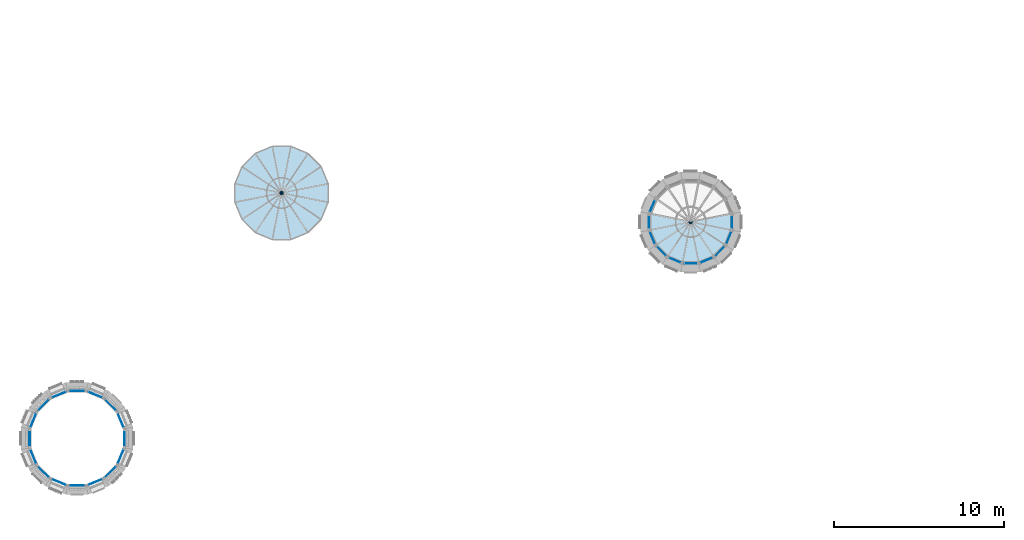
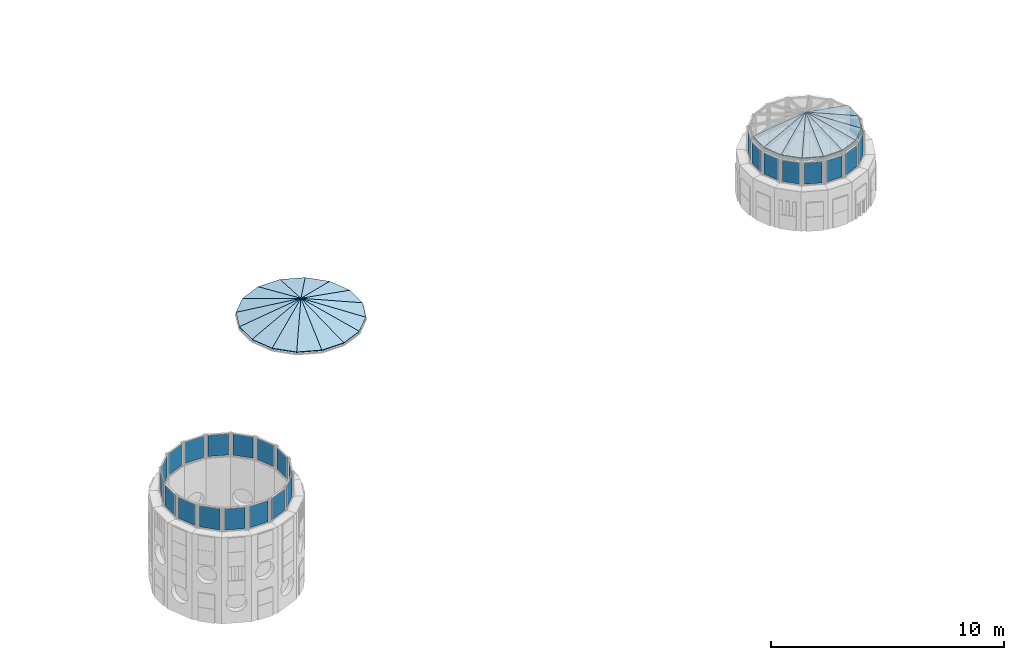
# One storey, part 19 of 36: 26 plates, 25 slabs, 26 elements without a shape of their own.
"""IFC4 building model written with IfcOpenShell, lengths in metres."""

from ifc_helpers import new_model, si_unit, direction, frame, origin, origin_2d, place, context, subcontext, project, spatial, polyline, rectangle, outline, extrude, material, layer, layer_set, type_object, element, aggregate, save


model = new_model("IFC4")

# Units and contexts
model_context = context("Model", 3, precision=1e-05, world=origin(), true_north=direction((0.0, 1.0)))
body_context = subcontext(model_context, "Body", "Model", "MODEL_VIEW")
ifc_project = project(units=[si_unit("LENGTHUNIT", "METRE"), si_unit("AREAUNIT", "SQUARE_METRE"), si_unit("VOLUMEUNIT", "CUBIC_METRE"), si_unit("PLANEANGLEUNIT", "RADIAN"), si_unit("MASSUNIT", "GRAM", prefix="KILO")], contexts=[model_context])

# Site, building, storey
site_placement = place(None, origin())
site = spatial("IfcSite", under=ifc_project, at=site_placement, CompositionType="ELEMENT")
building_placement = place(site_placement, origin())
building = spatial("IfcBuilding", under=site, at=building_placement, Name="Sun Court Science Centre", CompositionType="ELEMENT")
storey_placement = place(building_placement, frame((0.0, 0.0, 24.75)))
storey = spatial("IfcBuildingStorey", under=building, at=storey_placement, Name="L05", CompositionType="ELEMENT", Elevation=24.75)

# Curtain wall, plate
ifc_material_1 = material(Name="Aluminium EN AW-6063 T6", Category="aluminium")
curtain_wall_type = type_object("IfcCurtainWallType", Name="Lantern clerestory curtain wall 1500", PredefinedType="NOTDEFINED", material=ifc_material_1)
curtain_wall_1_placement = place(storey_placement, origin())
curtain_wall_1 = element("IfcCurtainWall", 1, at=curtain_wall_1_placement, inside=storey, type_object=curtain_wall_type, Name="Curtain wall V2 C1 clerestory L05 01", PredefinedType="NOTDEFINED")
ifc_material_2 = material(Name="Insulated glass", Category="glass")
ifc_layer_1 = layer(ifc_material_2, 0.031982421875)
ifc_layer_set_1 = layer_set([ifc_layer_1], Name="Insulated glass")
plate_type = type_object("IfcPlateType", Name="Foyer insulated glazing panel 8-16-8", PredefinedType="CURTAIN_PANEL", material=ifc_layer_set_1)
plate_1_placement = place(storey_placement, frame((8.562744140625, 12.5615234375, 4.25), z_axis=(0.0, 0.0, 1.0), x_axis=(0.382683432365, -0.923879532511, 0.0)))
plate_1 = element("IfcPlate", 2, at=plate_1_placement, type_object=plate_type, Name="Smoke vent opening light CW4-01 panel 1", PredefinedType="CURTAIN_PANEL", context=body_context, shape_type="SweptSolid", body=[
    extrude(rectangle(XDim=0.88916015625, YDim=0.031982421875, at=origin_2d()), origin(), (0.0, 0.0, 1.0), 1.10009765625),
])
aggregate(curtain_wall_1, [plate_1])

curtain_wall_2_placement = place(storey_placement, origin())
curtain_wall_2 = element("IfcCurtainWall", 3, at=curtain_wall_2_placement, inside=storey, type_object=curtain_wall_type, Name="Curtain wall V2 C1 clerestory L05 02", PredefinedType="NOTDEFINED")
plate_2_placement = place(storey_placement, frame((7.96142578125, 13.46142578125, 4.25), z_axis=(0.0, 0.0, 1.0), x_axis=(0.707106781187, -0.707106781187, 0.0)))
plate_2 = element("IfcPlate", 4, at=plate_2_placement, type_object=plate_type, Name="CW4-02 panel 1.1", PredefinedType="CURTAIN_PANEL", context=body_context, shape_type="SweptSolid", body=[
    extrude(rectangle(XDim=0.88916015625, YDim=0.031982421875, at=origin_2d()), origin(), (0.0, 0.0, 1.0), 1.10009765625),
])
aggregate(curtain_wall_2, [plate_2])

curtain_wall_3_placement = place(storey_placement, origin())
curtain_wall_3 = element("IfcCurtainWall", 5, at=curtain_wall_3_placement, inside=storey, type_object=curtain_wall_type, Name="Curtain wall V2 C1 clerestory L05 03", PredefinedType="NOTDEFINED")
plate_3_placement = place(storey_placement, frame((7.0615234375, 14.062744140625, 4.25), z_axis=(0.0, 0.0, 1.0), x_axis=(0.923879532511, -0.382683432365, 0.0)))
plate_3 = element("IfcPlate", 6, at=plate_3_placement, type_object=plate_type, Name="Smoke vent opening light CW4-03 panel 1", PredefinedType="CURTAIN_PANEL", context=body_context, shape_type="SweptSolid", body=[
    extrude(rectangle(XDim=0.88916015625, YDim=0.031982421875, at=origin_2d()), origin(), (0.0, 0.0, 1.0), 1.10009765625),
])
aggregate(curtain_wall_3, [plate_3])

curtain_wall_4_placement = place(storey_placement, origin())
curtain_wall_4 = element("IfcCurtainWall", 7, at=curtain_wall_4_placement, inside=storey, type_object=curtain_wall_type, Name="Curtain wall V2 C1 clerestory L05 04", PredefinedType="NOTDEFINED")
plate_4_placement = place(storey_placement, frame((6.0, 14.27392578125, 4.25), z_axis=(0.0, 0.0, 1.0), x_axis=(1.0, 0.0, 0.0)))
plate_4 = element("IfcPlate", 8, at=plate_4_placement, type_object=plate_type, Name="CW4-04 panel 1.1", PredefinedType="CURTAIN_PANEL", context=body_context, shape_type="SweptSolid", body=[
    extrude(rectangle(XDim=0.88916015625, YDim=0.031982421875, at=origin_2d()), origin(), (0.0, 0.0, 1.0), 1.10009765625),
])
aggregate(curtain_wall_4, [plate_4])

curtain_wall_5_placement = place(storey_placement, origin())
curtain_wall_5 = element("IfcCurtainWall", 9, at=curtain_wall_5_placement, inside=storey, type_object=curtain_wall_type, Name="Curtain wall V2 C1 clerestory L05 05", PredefinedType="NOTDEFINED")
plate_5_placement = place(storey_placement, frame((4.9384765625, 14.062744140625, 4.25), z_axis=(0.0, 0.0, 1.0), x_axis=(0.923879532511, 0.382683432365, 0.0)))
plate_5 = element("IfcPlate", 10, at=plate_5_placement, type_object=plate_type, Name="Smoke vent opening light CW4-05 panel 1", PredefinedType="CURTAIN_PANEL", context=body_context, shape_type="SweptSolid", body=[
    extrude(rectangle(XDim=0.88916015625, YDim=0.031982421875, at=origin_2d()), origin(), (0.0, 0.0, 1.0), 1.10009765625),
])
aggregate(curtain_wall_5, [plate_5])

curtain_wall_6_placement = place(storey_placement, origin())
curtain_wall_6 = element("IfcCurtainWall", 11, at=curtain_wall_6_placement, inside=storey, type_object=curtain_wall_type, Name="Curtain wall V2 C1 clerestory L05 06", PredefinedType="NOTDEFINED")
plate_6_placement = place(storey_placement, frame((4.03857421875, 13.46142578125, 4.25), z_axis=(0.0, 0.0, 1.0), x_axis=(0.707106781187, 0.707106781187, 0.0)))
plate_6 = element("IfcPlate", 12, at=plate_6_placement, type_object=plate_type, Name="CW4-06 panel 1.1", PredefinedType="CURTAIN_PANEL", context=body_context, shape_type="SweptSolid", body=[
    extrude(rectangle(XDim=0.88916015625, YDim=0.031982421875, at=origin_2d()), origin(), (0.0, 0.0, 1.0), 1.10009765625),
])
aggregate(curtain_wall_6, [plate_6])

curtain_wall_7_placement = place(storey_placement, origin())
curtain_wall_7 = element("IfcCurtainWall", 13, at=curtain_wall_7_placement, inside=storey, type_object=curtain_wall_type, Name="Curtain wall V2 C1 clerestory L05 07", PredefinedType="NOTDEFINED")
plate_7_placement = place(storey_placement, frame((3.437255859375, 12.5615234375, 4.25), z_axis=(0.0, 0.0, 1.0), x_axis=(0.382683432365, 0.923879532511, 0.0)))
plate_7 = element("IfcPlate", 14, at=plate_7_placement, type_object=plate_type, Name="Smoke vent opening light CW4-07 panel 1", PredefinedType="CURTAIN_PANEL", context=body_context, shape_type="SweptSolid", body=[
    extrude(rectangle(XDim=0.88916015625, YDim=0.031982421875, at=origin_2d()), origin(), (0.0, 0.0, 1.0), 1.10009765625),
])
aggregate(curtain_wall_7, [plate_7])

curtain_wall_8_placement = place(storey_placement, origin())
curtain_wall_8 = element("IfcCurtainWall", 15, at=curtain_wall_8_placement, inside=storey, type_object=curtain_wall_type, Name="Curtain wall V2 C1 clerestory L05 08", PredefinedType="NOTDEFINED")
plate_8_placement = place(storey_placement, frame((3.22607421875, 11.5, 4.25), z_axis=(0.0, 0.0, 1.0), x_axis=(0.0, 1.0, 0.0)))
plate_8 = element("IfcPlate", 16, at=plate_8_placement, type_object=plate_type, Name="CW4-08 panel 1.1", PredefinedType="CURTAIN_PANEL", context=body_context, shape_type="SweptSolid", body=[
    extrude(rectangle(XDim=0.88916015625, YDim=0.031982421875, at=origin_2d()), origin(), (0.0, 0.0, 1.0), 1.10009765625),
])
aggregate(curtain_wall_8, [plate_8])

curtain_wall_9_placement = place(storey_placement, origin())
curtain_wall_9 = element("IfcCurtainWall", 17, at=curtain_wall_9_placement, inside=storey, type_object=curtain_wall_type, Name="Curtain wall V2 C1 clerestory L05 09", PredefinedType="NOTDEFINED")
plate_9_placement = place(storey_placement, frame((3.437255859375, 10.4384765625, 4.25), z_axis=(0.0, 0.0, 1.0), x_axis=(-0.382683432365, 0.923879532511, 0.0)))
plate_9 = element("IfcPlate", 18, at=plate_9_placement, type_object=plate_type, Name="Smoke vent opening light CW4-09 panel 1", PredefinedType="CURTAIN_PANEL", context=body_context, shape_type="SweptSolid", body=[
    extrude(rectangle(XDim=0.88916015625, YDim=0.031982421875, at=origin_2d()), origin(), (0.0, 0.0, 1.0), 1.10009765625),
])
aggregate(curtain_wall_9, [plate_9])

curtain_wall_10_placement = place(storey_placement, origin())
curtain_wall_10 = element("IfcCurtainWall", 19, at=curtain_wall_10_placement, inside=storey, type_object=curtain_wall_type, Name="Curtain wall V2 C1 clerestory L05 10", PredefinedType="NOTDEFINED")
plate_10_placement = place(storey_placement, frame((4.03857421875, 9.53857421875, 4.25), z_axis=(0.0, 0.0, 1.0), x_axis=(-0.707106781187, 0.707106781187, 0.0)))
plate_10 = element("IfcPlate", 20, at=plate_10_placement, type_object=plate_type, Name="CW4-10 panel 1.1", PredefinedType="CURTAIN_PANEL", context=body_context, shape_type="SweptSolid", body=[
    extrude(rectangle(XDim=0.88916015625, YDim=0.031982421875, at=origin_2d()), origin(), (0.0, 0.0, 1.0), 1.10009765625),
])
aggregate(curtain_wall_10, [plate_10])

curtain_wall_11_placement = place(storey_placement, origin())
curtain_wall_11 = element("IfcCurtainWall", 21, at=curtain_wall_11_placement, inside=storey, type_object=curtain_wall_type, Name="Curtain wall V2 C1 clerestory L05 11", PredefinedType="NOTDEFINED")
plate_11_placement = place(storey_placement, frame((4.9384765625, 8.937255859375, 4.25), z_axis=(0.0, 0.0, 1.0), x_axis=(-0.923879532511, 0.382683432365, 0.0)))
plate_11 = element("IfcPlate", 22, at=plate_11_placement, type_object=plate_type, Name="Smoke vent opening light CW4-11 panel 1", PredefinedType="CURTAIN_PANEL", context=body_context, shape_type="SweptSolid", body=[
    extrude(rectangle(XDim=0.88916015625, YDim=0.031982421875, at=origin_2d()), origin(), (0.0, 0.0, 1.0), 1.10009765625),
])
aggregate(curtain_wall_11, [plate_11])

curtain_wall_12_placement = place(storey_placement, origin())
curtain_wall_12 = element("IfcCurtainWall", 23, at=curtain_wall_12_placement, inside=storey, type_object=curtain_wall_type, Name="Curtain wall V2 C1 clerestory L05 12", PredefinedType="NOTDEFINED")
plate_12_placement = place(storey_placement, frame((6.0, 8.72607421875, 4.25), z_axis=(0.0, 0.0, 1.0), x_axis=(-1.0, 0.0, 0.0)))
plate_12 = element("IfcPlate", 24, at=plate_12_placement, type_object=plate_type, Name="CW4-12 panel 1.1", PredefinedType="CURTAIN_PANEL", context=body_context, shape_type="SweptSolid", body=[
    extrude(rectangle(XDim=0.88916015625, YDim=0.031982421875, at=origin_2d()), origin(), (0.0, 0.0, 1.0), 1.10009765625),
])
aggregate(curtain_wall_12, [plate_12])

curtain_wall_13_placement = place(storey_placement, origin())
curtain_wall_13 = element("IfcCurtainWall", 25, at=curtain_wall_13_placement, inside=storey, type_object=curtain_wall_type, Name="Curtain wall V2 C1 clerestory L05 13", PredefinedType="NOTDEFINED")
plate_13_placement = place(storey_placement, frame((7.0615234375, 8.937255859375, 4.25), z_axis=(0.0, 0.0, 1.0), x_axis=(-0.923879532511, -0.382683432365, 0.0)))
plate_13 = element("IfcPlate", 26, at=plate_13_placement, type_object=plate_type, Name="Smoke vent opening light CW4-13 panel 1", PredefinedType="CURTAIN_PANEL", context=body_context, shape_type="SweptSolid", body=[
    extrude(rectangle(XDim=0.88916015625, YDim=0.031982421875, at=origin_2d()), origin(), (0.0, 0.0, 1.0), 1.10009765625),
])
aggregate(curtain_wall_13, [plate_13])

curtain_wall_14_placement = place(storey_placement, origin())
curtain_wall_14 = element("IfcCurtainWall", 27, at=curtain_wall_14_placement, inside=storey, type_object=curtain_wall_type, Name="Curtain wall V2 C1 clerestory L05 14", PredefinedType="NOTDEFINED")
plate_14_placement = place(storey_placement, frame((7.96142578125, 9.53857421875, 4.25), z_axis=(0.0, 0.0, 1.0), x_axis=(-0.707106781187, -0.707106781187, 0.0)))
plate_14 = element("IfcPlate", 28, at=plate_14_placement, type_object=plate_type, Name="CW4-14 panel 1.1", PredefinedType="CURTAIN_PANEL", context=body_context, shape_type="SweptSolid", body=[
    extrude(rectangle(XDim=0.88916015625, YDim=0.031982421875, at=origin_2d()), origin(), (0.0, 0.0, 1.0), 1.10009765625),
])
aggregate(curtain_wall_14, [plate_14])

curtain_wall_15_placement = place(storey_placement, origin())
curtain_wall_15 = element("IfcCurtainWall", 29, at=curtain_wall_15_placement, inside=storey, type_object=curtain_wall_type, Name="Curtain wall V2 C1 clerestory L05 15", PredefinedType="NOTDEFINED")
plate_15_placement = place(storey_placement, frame((8.562744140625, 10.4384765625, 4.25), z_axis=(0.0, 0.0, 1.0), x_axis=(-0.382683432365, -0.923879532511, 0.0)))
plate_15 = element("IfcPlate", 30, at=plate_15_placement, type_object=plate_type, Name="Smoke vent opening light CW4-15 panel 1", PredefinedType="CURTAIN_PANEL", context=body_context, shape_type="SweptSolid", body=[
    extrude(rectangle(XDim=0.88916015625, YDim=0.031982421875, at=origin_2d()), origin(), (0.0, 0.0, 1.0), 1.10009765625),
])
aggregate(curtain_wall_15, [plate_15])

curtain_wall_16_placement = place(storey_placement, origin())
curtain_wall_16 = element("IfcCurtainWall", 31, at=curtain_wall_16_placement, inside=storey, type_object=curtain_wall_type, Name="Curtain wall V2 C1 clerestory L05 16", PredefinedType="NOTDEFINED")
plate_16_placement = place(storey_placement, frame((8.77392578125, 11.5, 4.25), z_axis=(0.0, 0.0, 1.0), x_axis=(0.0, -1.0, 0.0)))
plate_16 = element("IfcPlate", 32, at=plate_16_placement, type_object=plate_type, Name="CW4-16 panel 1.1", PredefinedType="CURTAIN_PANEL", context=body_context, shape_type="SweptSolid", body=[
    extrude(rectangle(XDim=0.88916015625, YDim=0.031982421875, at=origin_2d()), origin(), (0.0, 0.0, 1.0), 1.10009765625),
])
aggregate(curtain_wall_16, [plate_16])

curtain_wall_17_placement = place(storey_placement, origin())
curtain_wall_17 = element("IfcCurtainWall", 33, at=curtain_wall_17_placement, inside=storey, type_object=curtain_wall_type, Name="Curtain wall V2 C4 clerestory L05 07", PredefinedType="NOTDEFINED")
plate_17_placement = place(storey_placement, frame((39.75439453125, 25.130126953125, 1.800048828125), z_axis=(0.0, 0.0, 1.0), x_axis=(0.382683432365, 0.923879532511, 0.0)))
plate_17 = element("IfcPlate", 34, at=plate_17_placement, type_object=plate_type, Name="Smoke vent opening light CW4-55 panel 1", PredefinedType="CURTAIN_PANEL", context=body_context, shape_type="SweptSolid", body=[
    extrude(rectangle(XDim=0.752685546875, YDim=0.031982421875, at=origin_2d()), origin(), (0.0, 0.0, 1.0), 1.10009765625),
])
aggregate(curtain_wall_17, [plate_17])

curtain_wall_18_placement = place(storey_placement, origin())
curtain_wall_18 = element("IfcCurtainWall", 35, at=curtain_wall_18_placement, inside=storey, type_object=curtain_wall_type, Name="Curtain wall V2 C4 clerestory L05 08", PredefinedType="NOTDEFINED")
plate_18_placement = place(storey_placement, frame((39.5693359375, 24.199951171875, 1.800048828125), z_axis=(0.0, 0.0, 1.0), x_axis=(0.0, 1.0, 0.0)))
plate_18 = element("IfcPlate", 36, at=plate_18_placement, type_object=plate_type, Name="CW4-56 panel 1.1", PredefinedType="CURTAIN_PANEL", context=body_context, shape_type="SweptSolid", body=[
    extrude(rectangle(XDim=0.752685546875, YDim=0.031982421875, at=origin_2d()), origin(), (0.0, 0.0, 1.0), 1.10009765625),
])
aggregate(curtain_wall_18, [plate_18])

curtain_wall_19_placement = place(storey_placement, origin())
curtain_wall_19 = element("IfcCurtainWall", 37, at=curtain_wall_19_placement, inside=storey, type_object=curtain_wall_type, Name="Curtain wall V2 C4 clerestory L05 09", PredefinedType="NOTDEFINED")
plate_19_placement = place(storey_placement, frame((39.75439453125, 23.269775390625, 1.800048828125), z_axis=(0.0, 0.0, 1.0), x_axis=(-0.382683432365, 0.923879532511, 0.0)))
plate_19 = element("IfcPlate", 38, at=plate_19_placement, type_object=plate_type, Name="Smoke vent opening light CW4-57 panel 1", PredefinedType="CURTAIN_PANEL", context=body_context, shape_type="SweptSolid", body=[
    extrude(rectangle(XDim=0.752685546875, YDim=0.031982421875, at=origin_2d()), origin(), (0.0, 0.0, 1.0), 1.10009765625),
])
aggregate(curtain_wall_19, [plate_19])

curtain_wall_20_placement = place(storey_placement, origin())
curtain_wall_20 = element("IfcCurtainWall", 39, at=curtain_wall_20_placement, inside=storey, type_object=curtain_wall_type, Name="Curtain wall V2 C4 clerestory L05 10", PredefinedType="NOTDEFINED")
plate_20_placement = place(storey_placement, frame((40.28125, 22.481201171875, 1.800048828125), z_axis=(0.0, 0.0, 1.0), x_axis=(-0.707106781187, 0.707106781187, 0.0)))
plate_20 = element("IfcPlate", 40, at=plate_20_placement, type_object=plate_type, Name="CW4-58 panel 1.1", PredefinedType="CURTAIN_PANEL", context=body_context, shape_type="SweptSolid", body=[
    extrude(rectangle(XDim=0.752685546875, YDim=0.031982421875, at=origin_2d()), origin(), (0.0, 0.0, 1.0), 1.10009765625),
])
aggregate(curtain_wall_20, [plate_20])

curtain_wall_21_placement = place(storey_placement, origin())
curtain_wall_21 = element("IfcCurtainWall", 41, at=curtain_wall_21_placement, inside=storey, type_object=curtain_wall_type, Name="Curtain wall V2 C4 clerestory L05 11", PredefinedType="NOTDEFINED")
plate_21_placement = place(storey_placement, frame((41.06982421875, 21.954345703125, 1.800048828125), z_axis=(0.0, 0.0, 1.0), x_axis=(-0.923879532511, 0.382683432365, 0.0)))
plate_21 = element("IfcPlate", 42, at=plate_21_placement, type_object=plate_type, Name="Smoke vent opening light CW4-59 panel 1", PredefinedType="CURTAIN_PANEL", context=body_context, shape_type="SweptSolid", body=[
    extrude(rectangle(XDim=0.752685546875, YDim=0.031982421875, at=origin_2d()), origin(), (0.0, 0.0, 1.0), 1.10009765625),
])
aggregate(curtain_wall_21, [plate_21])

curtain_wall_22_placement = place(storey_placement, origin())
curtain_wall_22 = element("IfcCurtainWall", 43, at=curtain_wall_22_placement, inside=storey, type_object=curtain_wall_type, Name="Curtain wall V2 C4 clerestory L05 12", PredefinedType="NOTDEFINED")
plate_22_placement = place(storey_placement, frame((42.0, 21.769287109375, 1.800048828125), z_axis=(0.0, 0.0, 1.0), x_axis=(-1.0, 0.0, 0.0)))
plate_22 = element("IfcPlate", 44, at=plate_22_placement, type_object=plate_type, Name="CW4-60 panel 1.1", PredefinedType="CURTAIN_PANEL", context=body_context, shape_type="SweptSolid", body=[
    extrude(rectangle(XDim=0.752685546875, YDim=0.031982421875, at=origin_2d()), origin(), (0.0, 0.0, 1.0), 1.10009765625),
])
aggregate(curtain_wall_22, [plate_22])

curtain_wall_23_placement = place(storey_placement, origin())
curtain_wall_23 = element("IfcCurtainWall", 45, at=curtain_wall_23_placement, inside=storey, type_object=curtain_wall_type, Name="Curtain wall V2 C4 clerestory L05 13", PredefinedType="NOTDEFINED")
plate_23_placement = place(storey_placement, frame((42.93017578125, 21.954345703125, 1.800048828125), z_axis=(0.0, 0.0, 1.0), x_axis=(-0.923879532511, -0.382683432365, 0.0)))
plate_23 = element("IfcPlate", 46, at=plate_23_placement, type_object=plate_type, Name="Smoke vent opening light CW4-61 panel 1", PredefinedType="CURTAIN_PANEL", context=body_context, shape_type="SweptSolid", body=[
    extrude(rectangle(XDim=0.752685546875, YDim=0.031982421875, at=origin_2d()), origin(), (0.0, 0.0, 1.0), 1.10009765625),
])
aggregate(curtain_wall_23, [plate_23])

curtain_wall_24_placement = place(storey_placement, origin())
curtain_wall_24 = element("IfcCurtainWall", 47, at=curtain_wall_24_placement, inside=storey, type_object=curtain_wall_type, Name="Curtain wall V2 C4 clerestory L05 14", PredefinedType="NOTDEFINED")
plate_24_placement = place(storey_placement, frame((43.71875, 22.481201171875, 1.800048828125), z_axis=(0.0, 0.0, 1.0), x_axis=(-0.707106781187, -0.707106781187, 0.0)))
plate_24 = element("IfcPlate", 48, at=plate_24_placement, type_object=plate_type, Name="CW4-62 panel 1.1", PredefinedType="CURTAIN_PANEL", context=body_context, shape_type="SweptSolid", body=[
    extrude(rectangle(XDim=0.752685546875, YDim=0.031982421875, at=origin_2d()), origin(), (0.0, 0.0, 1.0), 1.10009765625),
])
aggregate(curtain_wall_24, [plate_24])

curtain_wall_25_placement = place(storey_placement, origin())
curtain_wall_25 = element("IfcCurtainWall", 49, at=curtain_wall_25_placement, inside=storey, type_object=curtain_wall_type, Name="Curtain wall V2 C4 clerestory L05 15", PredefinedType="NOTDEFINED")
plate_25_placement = place(storey_placement, frame((44.24560546875, 23.269775390625, 1.800048828125), z_axis=(0.0, 0.0, 1.0), x_axis=(-0.382683432365, -0.923879532511, 0.0)))
plate_25 = element("IfcPlate", 50, at=plate_25_placement, type_object=plate_type, Name="Smoke vent opening light CW4-63 panel 1", PredefinedType="CURTAIN_PANEL", context=body_context, shape_type="SweptSolid", body=[
    extrude(rectangle(XDim=0.752685546875, YDim=0.031982421875, at=origin_2d()), origin(), (0.0, 0.0, 1.0), 1.10009765625),
])
aggregate(curtain_wall_25, [plate_25])

curtain_wall_26_placement = place(storey_placement, origin())
curtain_wall_26 = element("IfcCurtainWall", 51, at=curtain_wall_26_placement, inside=storey, type_object=curtain_wall_type, Name="Curtain wall V2 C4 clerestory L05 16", PredefinedType="NOTDEFINED")
plate_26_placement = place(storey_placement, frame((44.4306640625, 24.199951171875, 1.800048828125), z_axis=(0.0, 0.0, 1.0), x_axis=(0.0, -1.0, 0.0)))
plate_26 = element("IfcPlate", 52, at=plate_26_placement, type_object=plate_type, Name="CW4-64 panel 1.1", PredefinedType="CURTAIN_PANEL", context=body_context, shape_type="SweptSolid", body=[
    extrude(rectangle(XDim=0.752685546875, YDim=0.031982421875, at=origin_2d()), origin(), (0.0, 0.0, 1.0), 1.10009765625),
])
aggregate(curtain_wall_26, [plate_26])

# Slabs
ifc_material_3 = material(Name="Toughened safety glass", Category="glass")
ifc_layer_2 = layer(ifc_material_3, 0.06005859375)
ifc_layer_set_2 = layer_set([ifc_layer_2], Name="Toughened safety glass")
slab_type = type_object("IfcSlabType", Name="Glazed lantern panel 60", PredefinedType="ROOF", material=ifc_layer_set_2)
slab_1_placement = place(storey_placement, frame((20.734619140625, 26.44384765625, 0.609619140625), z_axis=(0.277772996622, 0.115035938606, 0.953734184758), x_axis=(-0.382622665647, 0.923904700569, 0.0)))
element("IfcSlab", 53, at=slab_1_placement, inside=storey, type_object=slab_type, Name="Smoke vent opening light cone 2 panel 01", PredefinedType="ROOF", context=body_context, shape_type="SweptSolid", body=[
    extrude(outline(polyline([(0.0, 0.0), (1.087911937785649, -5.551115123125783e-17), (0.5437736340448256, 2.8673118017856805), (0.0, 0.0)])), origin(), (0.0, 0.0, -1.0), 0.06005859375),
])
slab_2_placement = place(storey_placement, frame((20.318359375, 27.448974609375, 0.609619140625), z_axis=(0.212590062171, 0.212590062171, 0.953735252013), x_axis=(-0.707106781187, 0.707106781187, 0.0)))
element("IfcSlab", 54, at=slab_2_placement, inside=storey, type_object=slab_type, Name="Lantern glazing cone 2 panel 02", PredefinedType="ROOF", context=body_context, shape_type="SweptSolid", body=[
    extrude(outline(polyline([(0.0, 0.0), (1.0879362634369196, 0.0), (0.5439681317184599, 2.8673440906058203), (0.0, 0.0)])), origin(), (0.0, 0.0, -1.0), 0.06005859375),
])
slab_3_placement = place(storey_placement, frame((19.549072265625, 28.21826171875, 0.609619140625), z_axis=(0.115089207113, 0.277738725488, 0.953737738988), x_axis=(-0.923825356298, 0.382814199136, 0.0)))
element("IfcSlab", 55, at=slab_3_placement, inside=storey, type_object=slab_type, Name="Smoke vent opening light cone 2 panel 03", PredefinedType="ROOF", context=body_context, shape_type="SweptSolid", body=[
    extrude(outline(polyline([(0.0, 0.0), (1.0880053749039362, 0.0), (0.5435713502715976, 2.8674193361664595), (0.0, 0.0)])), origin(), (0.0, 0.0, -1.0), 0.06005859375),
])
slab_4_placement = place(storey_placement, frame((18.5439453125, 28.634765625, 0.609619140625), z_axis=(0.0, 0.300630135648, 0.953740804171), x_axis=(-1.0, 0.0, 0.0)))
element("IfcSlab", 56, at=slab_4_placement, inside=storey, type_object=slab_type, Name="Lantern glazing cone 2 panel 04", PredefinedType="ROOF", context=body_context, shape_type="SweptSolid", body=[
    extrude(outline(polyline([(0.0, 0.0), (1.087890625, 0.0), (0.5439453125, 2.8675120843002464), (0.0, 0.0)])), origin(), (0.0, 0.0, -1.0), 0.06005859375),
])
slab_5_placement = place(storey_placement, frame((17.4560546875, 28.634765625, 0.609619140625), z_axis=(-0.115089207113, 0.277738725488, 0.953737738988), x_axis=(-0.923825356298, -0.382814199136, 0.0)))
element("IfcSlab", 57, at=slab_5_placement, inside=storey, type_object=slab_type, Name="Smoke vent opening light cone 2 panel 05", PredefinedType="ROOF", context=body_context, shape_type="SweptSolid", body=[
    extrude(outline(polyline([(0.0, 0.0), (1.0880053749039362, 0.0), (0.5444340246323386, 2.8674193361664595), (0.0, 0.0)])), origin(), (0.0, 0.0, -1.0), 0.06005859375),
])
slab_6_placement = place(storey_placement, frame((16.450927734375, 28.21826171875, 0.609619140625), z_axis=(-0.212590062171, 0.212590062171, 0.953735252013), x_axis=(-0.707106781187, -0.707106781187, 0.0)))
element("IfcSlab", 58, at=slab_6_placement, inside=storey, type_object=slab_type, Name="Lantern glazing cone 2 panel 06", PredefinedType="ROOF", context=body_context, shape_type="SweptSolid", body=[
    extrude(outline(polyline([(0.0, 0.0), (1.0879362634369196, 0.0), (0.5439681317184599, 2.8673440906058203), (0.0, 0.0)])), origin(), (0.0, 0.0, -1.0), 0.06005859375),
])
slab_7_placement = place(storey_placement, frame((15.681640625, 27.448974609375, 0.609619140625), z_axis=(-0.277772996622, 0.115035938606, 0.953734184758), x_axis=(-0.382622665647, -0.923904700569, 0.0)))
element("IfcSlab", 59, at=slab_7_placement, inside=storey, type_object=slab_type, Name="Smoke vent opening light cone 2 panel 07", PredefinedType="ROOF", context=body_context, shape_type="SweptSolid", body=[
    extrude(outline(polyline([(0.0, 0.0), (1.087911937785649, 5.551115123125783e-17), (0.5441383037408235, 2.8673118017856805), (0.0, 0.0)])), origin(), (0.0, 0.0, -1.0), 0.06005859375),
])
slab_8_placement = place(storey_placement, frame((15.265380859375, 26.44384765625, 0.609619140625), z_axis=(-0.300654549212, 0.0, 0.953733108389), x_axis=(0.0, -1.0, 0.0)))
element("IfcSlab", 60, at=slab_8_placement, inside=storey, type_object=slab_type, Name="Lantern glazing cone 2 panel 08", PredefinedType="ROOF", context=body_context, shape_type="SweptSolid", body=[
    extrude(outline(polyline([(0.0, 0.0), (1.087890625, 0.0), (0.5439453125, 2.8672792383636163), (0.0, 0.0)])), origin(), (0.0, 0.0, -1.0), 0.06005859375),
])
slab_9_placement = place(storey_placement, frame((15.265380859375, 25.35595703125, 0.609619140625), z_axis=(-0.277772996622, -0.115035938606, 0.953734184758), x_axis=(0.382622665647, -0.923904700569, 0.0)))
element("IfcSlab", 61, at=slab_9_placement, inside=storey, type_object=slab_type, Name="Smoke vent opening light cone 2 panel 09", PredefinedType="ROOF", context=body_context, shape_type="SweptSolid", body=[
    extrude(outline(polyline([(0.0, 0.0), (1.087911937785649, -5.551115123125783e-17), (0.5437736340448256, 2.8673118017856805), (0.0, 0.0)])), origin(), (0.0, 0.0, -1.0), 0.06005859375),
])
slab_10_placement = place(storey_placement, frame((15.681640625, 24.350830078125, 0.609619140625), z_axis=(-0.212590062171, -0.212590062171, 0.953735252013), x_axis=(0.707106781187, -0.707106781187, 0.0)))
element("IfcSlab", 62, at=slab_10_placement, inside=storey, type_object=slab_type, Name="Lantern glazing cone 2 panel 10", PredefinedType="ROOF", context=body_context, shape_type="SweptSolid", body=[
    extrude(outline(polyline([(0.0, 0.0), (1.0879362634369196, 0.0), (0.5439681317184599, 2.8673440906058203), (0.0, 0.0)])), origin(), (0.0, 0.0, -1.0), 0.06005859375),
])
slab_11_placement = place(storey_placement, frame((16.450927734375, 23.58154296875, 0.609619140625), z_axis=(-0.115035938606, -0.277772996622, 0.953734184758), x_axis=(0.923904700569, -0.382622665647, 0.0)))
element("IfcSlab", 63, at=slab_11_placement, inside=storey, type_object=slab_type, Name="Smoke vent opening light cone 2 panel 11", PredefinedType="ROOF", context=body_context, shape_type="SweptSolid", body=[
    extrude(outline(polyline([(0.0, 0.0), (1.087911937785649, 5.551115123125783e-17), (0.5441383037408235, 2.8673118017856805), (0.0, 0.0)])), origin(), (0.0, 0.0, -1.0), 0.06005859375),
])
slab_12_placement = place(storey_placement, frame((17.4560546875, 23.165283203125, 0.609619140625), z_axis=(0.0, -0.300654549212, 0.953733108389), x_axis=(1.0, 0.0, 0.0)))
element("IfcSlab", 64, at=slab_12_placement, inside=storey, type_object=slab_type, Name="Lantern glazing cone 2 panel 12", PredefinedType="ROOF", context=body_context, shape_type="SweptSolid", body=[
    extrude(outline(polyline([(0.0, 0.0), (1.087890625, 0.0), (0.5439453125, 2.8672792383636163), (0.0, 0.0)])), origin(), (0.0, 0.0, -1.0), 0.06005859375),
])
slab_13_placement = place(storey_placement, frame((18.5439453125, 23.165283203125, 0.609619140625), z_axis=(0.115035938606, -0.277772996622, 0.953734184758), x_axis=(0.923904700569, 0.382622665647, 0.0)))
element("IfcSlab", 65, at=slab_13_placement, inside=storey, type_object=slab_type, Name="Smoke vent opening light cone 2 panel 13", PredefinedType="ROOF", context=body_context, shape_type="SweptSolid", body=[
    extrude(outline(polyline([(0.0, 0.0), (1.087911937785649, -5.551115123125783e-17), (0.5437736340448256, 2.8673118017856805), (0.0, 0.0)])), origin(), (0.0, 0.0, -1.0), 0.06005859375),
])
slab_14_placement = place(storey_placement, frame((19.549072265625, 23.58154296875, 0.609619140625), z_axis=(0.212590062171, -0.212590062171, 0.953735252013), x_axis=(0.707106781187, 0.707106781187, 0.0)))
element("IfcSlab", 66, at=slab_14_placement, inside=storey, type_object=slab_type, Name="Lantern glazing cone 2 panel 14", PredefinedType="ROOF", context=body_context, shape_type="SweptSolid", body=[
    extrude(outline(polyline([(0.0, 0.0), (1.0879362634369196, 0.0), (0.5439681317184599, 2.8673440906058203), (0.0, 0.0)])), origin(), (0.0, 0.0, -1.0), 0.06005859375),
])
slab_15_placement = place(storey_placement, frame((20.318359375, 24.350830078125, 0.609619140625), z_axis=(0.277772996622, -0.115035938606, 0.953734184758), x_axis=(0.382622665647, 0.923904700569, 0.0)))
element("IfcSlab", 67, at=slab_15_placement, inside=storey, type_object=slab_type, Name="Smoke vent opening light cone 2 panel 15", PredefinedType="ROOF", context=body_context, shape_type="SweptSolid", body=[
    extrude(outline(polyline([(0.0, 0.0), (1.087911937785649, 5.551115123125783e-17), (0.5441383037408235, 2.8673118017856805), (0.0, 0.0)])), origin(), (0.0, 0.0, -1.0), 0.06005859375),
])
slab_16_placement = place(storey_placement, frame((20.734619140625, 25.35595703125, 0.609619140625), z_axis=(0.300654549212, 0.0, 0.953733108389), x_axis=(0.0, 1.0, 0.0)))
element("IfcSlab", 68, at=slab_16_placement, inside=storey, type_object=slab_type, Name="Lantern glazing cone 2 panel 16", PredefinedType="ROOF", context=body_context, shape_type="SweptSolid", body=[
    extrude(outline(polyline([(0.0, 0.0), (1.087890625, 0.0), (0.5439453125, 2.8672792383636163), (0.0, 0.0)])), origin(), (0.0, 0.0, -1.0), 0.06005859375),
])
slab_17_placement = place(storey_placement, frame((39.65771484375, 24.666015625, 3.109619140625), z_axis=(-0.300707917065, 0.0, 0.953716283081), x_axis=(0.0, -1.0, 0.0)))
element("IfcSlab", 69, at=slab_17_placement, inside=storey, type_object=slab_type, Name="Lantern glazing cone 4 panel 08", PredefinedType="ROOF", context=body_context, shape_type="SweptSolid", body=[
    extrude(outline(polyline([(0.0, 0.0), (0.931884765625, 0.0), (0.466064453125, 2.4559559250497345), (0.0, 0.0)])), origin(), (0.0, 0.0, -1.0), 0.06005859375),
])
slab_18_placement = place(storey_placement, frame((39.65771484375, 23.734130859375, 3.109619140625), z_axis=(-0.277836175791, -0.115010154991, 0.953718891325), x_axis=(0.382475194149, -0.923965760113, 0.0)))
element("IfcSlab", 70, at=slab_18_placement, inside=storey, type_object=slab_type, Name="Smoke vent opening light cone 4 panel 09", PredefinedType="ROOF", context=body_context, shape_type="SweptSolid", body=[
    extrude(outline(polyline([(0.0, 0.0), (0.9319436082458787, -5.551115123125783e-17), (0.4654639507746774, 2.456023489271575), (0.0, 0.0)])), origin(), (0.0, 0.0, -1.0), 0.06005859375),
])
slab_19_placement = place(storey_placement, frame((40.01416015625, 22.873046875, 3.109619140625), z_axis=(-0.212585584318, -0.212664378085, 0.953719681895), x_axis=(0.707237787534, -0.706975750562, 0.0)))
element("IfcSlab", 71, at=slab_19_placement, inside=storey, type_object=slab_type, Name="Lantern glazing cone 4 panel 10", PredefinedType="ROOF", context=body_context, shape_type="SweptSolid", body=[
    extrude(outline(polyline([(0.0, 0.0), (0.9317029696223245, 5.551115123125783e-17), (0.4663718162838386, 2.456043969407772), (0.0, 0.0)])), origin(), (0.0, 0.0, -1.0), 0.06005859375),
])
slab_20_placement = place(storey_placement, frame((40.673095703125, 22.21435546875, 3.109619140625), z_axis=(-0.115082432749, -0.277820493021, 0.953714741068), x_axis=(0.923873163951, -0.382698807069, 0.0)))
element("IfcSlab", 72, at=slab_20_placement, inside=storey, type_object=slab_type, Name="Smoke vent opening light cone 4 panel 11", PredefinedType="ROOF", context=body_context, shape_type="SweptSolid", body=[
    extrude(outline(polyline([(0.0, 0.0), (0.9320370132766922, 0.0), (0.466006164106582, 2.45591598328328), (0.0, 0.0)])), origin(), (0.0, 0.0, -1.0), 0.06005859375),
])
slab_21_placement = place(storey_placement, frame((41.5341796875, 21.857666015625, 3.109619140625), z_axis=(0.0, -0.300707917065, 0.953716283081), x_axis=(1.0, 0.0, 0.0)))
element("IfcSlab", 73, at=slab_21_placement, inside=storey, type_object=slab_type, Name="Lantern glazing cone 4 panel 12", PredefinedType="ROOF", context=body_context, shape_type="SweptSolid", body=[
    extrude(outline(polyline([(0.0, 0.0), (0.931640625, 0.0), (0.4658203125, 2.4559559250497345), (0.0, 0.0)])), origin(), (0.0, 0.0, -1.0), 0.06005859375),
])
slab_22_placement = place(storey_placement, frame((42.4658203125, 21.857666015625, 3.109619140625), z_axis=(0.115082432749, -0.277820493021, 0.953714741068), x_axis=(0.923873163951, 0.382698807069, 0.0)))
element("IfcSlab", 74, at=slab_22_placement, inside=storey, type_object=slab_type, Name="Smoke vent opening light cone 4 panel 13", PredefinedType="ROOF", context=body_context, shape_type="SweptSolid", body=[
    extrude(outline(polyline([(0.0, 0.0), (0.9320370132766922, 0.0), (0.46603084917011023, 2.45591598328328), (0.0, 0.0)])), origin(), (0.0, 0.0, -1.0), 0.06005859375),
])
slab_23_placement = place(storey_placement, frame((43.326904296875, 22.21435546875, 3.109619140625), z_axis=(0.212585584318, -0.212664378085, 0.953719681895), x_axis=(0.707237787534, 0.706975750562, 0.0)))
element("IfcSlab", 75, at=slab_23_placement, inside=storey, type_object=slab_type, Name="Lantern glazing cone 4 panel 14", PredefinedType="ROOF", context=body_context, shape_type="SweptSolid", body=[
    extrude(outline(polyline([(0.0, 0.0), (0.9317029696223245, -5.551115123125783e-17), (0.46533115333848585, 2.456043969407772), (0.0, 0.0)])), origin(), (0.0, 0.0, -1.0), 0.06005859375),
])
slab_24_placement = place(storey_placement, frame((43.98583984375, 22.873046875, 3.109619140625), z_axis=(0.277836175791, -0.115010154991, 0.953718891325), x_axis=(0.382475194149, 0.923965760113, 0.0)))
element("IfcSlab", 76, at=slab_24_placement, inside=storey, type_object=slab_type, Name="Smoke vent opening light cone 4 panel 15", PredefinedType="ROOF", context=body_context, shape_type="SweptSolid", body=[
    extrude(outline(polyline([(0.0, 0.0), (0.9319436082458787, 5.551115123125783e-17), (0.46647965747120135, 2.456023489271575), (0.0, 0.0)])), origin(), (0.0, 0.0, -1.0), 0.06005859375),
])
slab_25_placement = place(storey_placement, frame((44.34228515625, 23.734130859375, 3.109619140625), z_axis=(0.300707917065, 0.0, 0.953716283081), x_axis=(0.0, 1.0, 0.0)))
element("IfcSlab", 77, at=slab_25_placement, inside=storey, type_object=slab_type, Name="Lantern glazing cone 4 panel 16", PredefinedType="ROOF", context=body_context, shape_type="SweptSolid", body=[
    extrude(outline(polyline([(0.0, 0.0), (0.931884765625, 0.0), (0.4658203125, 2.4559559250497345), (0.0, 0.0)])), origin(), (0.0, 0.0, -1.0), 0.06005859375),
])

save(model, "model.ifc")
